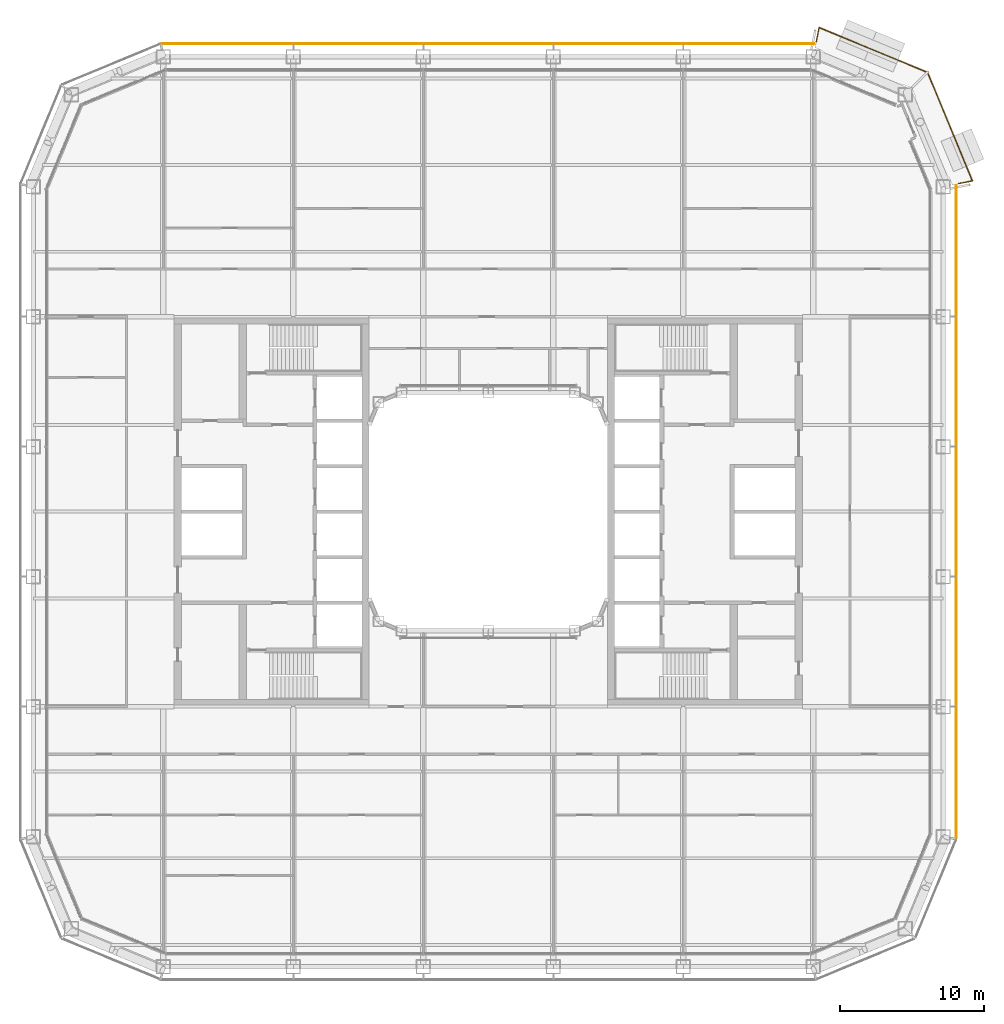
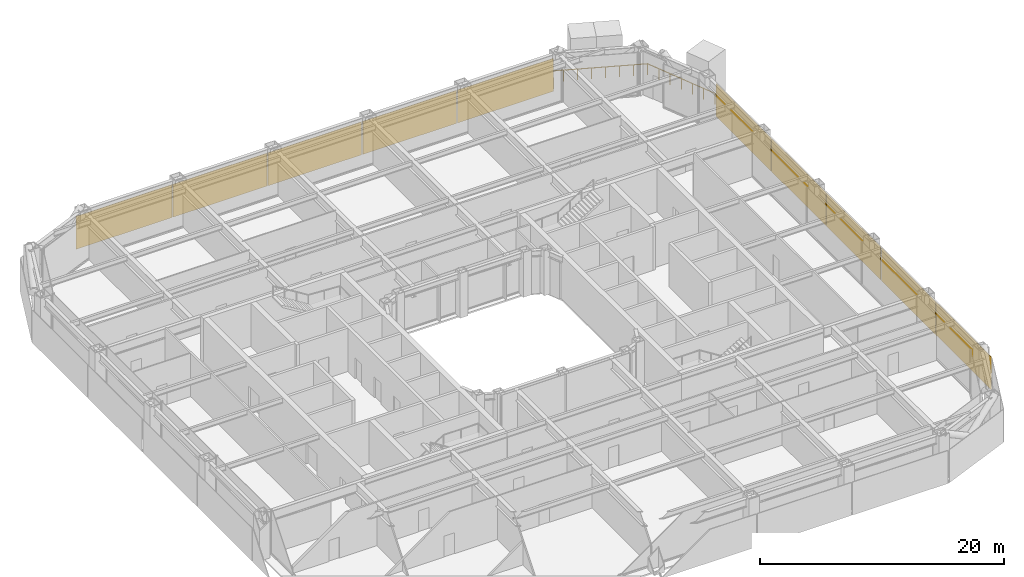
# One storey, part 29 of 30: 10 coverings, 1 railing.
"""IFC4 building model written with IfcOpenShell, lengths in metres."""

from ifc_helpers import new_model, si_unit, direction, frame, origin, origin_2d, place, context, subcontext, project, spatial, rectangle, circle, extrude, material, layer, layer_set, type_object, element, save


model = new_model("IFC4")

# Units and contexts
model_context = context("Model", 3, precision=1e-05, world=origin(), true_north=direction((0.0, 1.0)))
body_context = subcontext(model_context, "Body", "Model", "MODEL_VIEW")
ifc_project = project(units=[si_unit("LENGTHUNIT", "METRE"), si_unit("AREAUNIT", "SQUARE_METRE"), si_unit("VOLUMEUNIT", "CUBIC_METRE"), si_unit("PLANEANGLEUNIT", "RADIAN"), si_unit("MASSUNIT", "GRAM", prefix="KILO")], contexts=[model_context])

# Site, building, storey
site_placement = place(None, origin())
site = spatial("IfcSite", under=ifc_project, at=site_placement, CompositionType="ELEMENT")
building_placement = place(site_placement, origin())
building = spatial("IfcBuilding", under=site, at=building_placement, Name="Siwar Civic Tower", CompositionType="ELEMENT")
storey_placement = place(building_placement, frame((0.0, 0.0, 80.699951171875)))
storey = spatial("IfcBuildingStorey", under=building, at=storey_placement, Name="L17", CompositionType="ELEMENT", Elevation=80.699951171875)

# Railing
ifc_material_1 = material(Name="Stainless steel 316", Category="steel")
railing_type = type_object("IfcRailingType", Name="ENV-GUARD", PredefinedType="GUARDRAIL", material=ifc_material_1)
railing_placement = place(storey_placement, frame((32.547119140625, 22.708251953125, 0.0)))
element("IfcRailing", 1, at=railing_placement, inside=storey, type_object=railing_type, Name="Balcony guard NE", PredefinedType="GUARDRAIL", context=body_context, shape_type="SweptSolid", body=[
    extrude(circle(Radius=0.02392578125, at=origin_2d()), frame((0.0, 0.0, 1.076171875), z_axis=(0.980778661911, 0.195123592472, 0.0), x_axis=(-0.195123592472, 0.980778661911, 0.0)), (0.0, 0.0, 1.0), 0.993408203125),
    extrude(circle(Radius=0.02392578125, at=origin_2d()), frame((0.974365234375, 0.19384765625, 1.076171875), z_axis=(-0.382176720888, 0.924089256518, 0.0), x_axis=(-0.924089256518, -0.382176720888, 0.0)), (0.0, 0.0, 1.0), 8.129638671875),
    extrude(circle(Radius=0.02392578125, at=origin_2d()), frame((-2.132568359375, 7.706298828125, 1.076171875), z_axis=(-0.924089256518, 0.382176720888, 0.0), x_axis=(-0.382176720888, -0.924089256518, 0.0)), (0.0, 0.0, 1.0), 8.129638671875),
    extrude(circle(Radius=0.02392578125, at=origin_2d()), frame((-9.64501953125, 10.813232421875, 1.076171875), z_axis=(-0.195123592472, -0.980778661911, 0.0), x_axis=(0.980778661911, -0.195123592472, 0.0)), (0.0, 0.0, 1.0), 0.993408203125),
    extrude(circle(Radius=0.02099609375, at=origin_2d()), origin(), (0.0, 0.0, 1.0), 1.052001953125),
    extrude(circle(Radius=0.02099609375, at=origin_2d()), frame((0.974365234375, 0.19384765625, 0.0)), (0.0, 0.0, 1.0), 1.052001953125),
    extrude(circle(Radius=0.02099609375, at=origin_2d()), frame((0.530517578125, 1.26708984375, 0.0)), (0.0, 0.0, 1.0), 1.052001953125),
    extrude(circle(Radius=0.02099609375, at=origin_2d()), frame((0.086669921875, 2.34033203125, 0.0)), (0.0, 0.0, 1.0), 1.052001953125),
    extrude(circle(Radius=0.02099609375, at=origin_2d()), frame((-0.357177734375, 3.41357421875, 0.0)), (0.0, 0.0, 1.0), 1.052001953125),
    extrude(circle(Radius=0.02099609375, at=origin_2d()), frame((-0.801025390625, 4.486572265625, 0.0)), (0.0, 0.0, 1.0), 1.052001953125),
    extrude(circle(Radius=0.02099609375, at=origin_2d()), frame((-1.244873046875, 5.559814453125, 0.0)), (0.0, 0.0, 1.0), 1.052001953125),
    extrude(circle(Radius=0.02099609375, at=origin_2d()), frame((-1.688720703125, 6.633056640625, 0.0)), (0.0, 0.0, 1.0), 1.052001953125),
    extrude(circle(Radius=0.02099609375, at=origin_2d()), frame((-2.132568359375, 7.706298828125, 0.0)), (0.0, 0.0, 1.0), 1.052001953125),
    extrude(circle(Radius=0.02099609375, at=origin_2d()), frame((-3.205810546875, 8.150146484375, 0.0)), (0.0, 0.0, 1.0), 1.052001953125),
    extrude(circle(Radius=0.02099609375, at=origin_2d()), frame((-4.279052734375, 8.593994140625, 0.0)), (0.0, 0.0, 1.0), 1.052001953125),
    extrude(circle(Radius=0.02099609375, at=origin_2d()), frame((-5.352294921875, 9.037841796875, 0.0)), (0.0, 0.0, 1.0), 1.052001953125),
    extrude(circle(Radius=0.02099609375, at=origin_2d()), frame((-6.42529296875, 9.481689453125, 0.0)), (0.0, 0.0, 1.0), 1.052001953125),
    extrude(circle(Radius=0.02099609375, at=origin_2d()), frame((-7.49853515625, 9.925537109375, 0.0)), (0.0, 0.0, 1.0), 1.052001953125),
    extrude(circle(Radius=0.02099609375, at=origin_2d()), frame((-8.57177734375, 10.369384765625, 0.0)), (0.0, 0.0, 1.0), 1.052001953125),
    extrude(circle(Radius=0.02099609375, at=origin_2d()), frame((-9.64501953125, 10.813232421875, 0.0)), (0.0, 0.0, 1.0), 1.052001953125),
    extrude(circle(Radius=0.02099609375, at=origin_2d()), frame((-9.8388671875, 9.8388671875, 0.0)), (0.0, 0.0, 1.0), 1.052001953125),
])

# Coverings
ifc_material_2 = material(Name="Perforated aluminium cassette, pale metal", Category="aluminium")
ifc_layer = layer(ifc_material_2, 0.0400390625)
ifc_layer_set = layer_set([ifc_layer], Name="Perforated aluminium cassette, pale metal")
covering_type = type_object("IfcCoveringType", Name="ENV-OUTER SKIN OS-1", PredefinedType="CLADDING", material=ifc_layer_set)
covering_1_placement = place(storey_placement, frame((32.39990234375, -18.07958984375, -0.14990234375), z_axis=(0.0, 0.0, 1.0), x_axis=(0.0, 1.0, 0.0)))
element("IfcCovering", 2, at=covering_1_placement, inside=storey, type_object=covering_type, Name="OUTER SKIN OS-1 E 1", PredefinedType="CLADDING", context=body_context, shape_type="SweptSolid", body=[
    extrude(rectangle(XDim=9.05908203125, YDim=0.0400390625, at=origin_2d()), origin(), (0.0, 0.0, 1.0), 3.300048828125),
])
for number, where, z_axis, x_axis, name in (
    (3, (32.39990234375, -9.0, -0.14990234375), (0.0, 0.0, 1.0), (0.0, 1.0, 0.0), "OUTER SKIN OS-1 E 2"),
    (4, (32.39990234375, 0.0, -0.14990234375), (0.0, 0.0, 1.0), (0.0, 1.0, 0.0), "OUTER SKIN OS-1 E 3"),
    (5, (32.39990234375, 9.0, -0.14990234375), (0.0, 0.0, 1.0), (0.0, 1.0, 0.0), "OUTER SKIN OS-1 E 4"),
):
    element("IfcCovering", number, at=place(storey_placement, frame(where, z_axis=z_axis, x_axis=x_axis)), inside=storey, type_object=covering_type, Name=name, PredefinedType="CLADDING", context=body_context, shape_type="SweptSolid", body=[
        extrude(rectangle(XDim=8.89990234375, YDim=0.0400390625, at=origin_2d()), origin(), (0.0, 0.0, 1.0), 3.300048828125),
    ])
for number, where, z_axis, x_axis, name in (
    (6, (32.39990234375, 18.07958984375, -0.14990234375), (0.0, 0.0, 1.0), (0.0, 1.0, 0.0), "OUTER SKIN OS-1 E 5"),
    (7, (18.07958984375, 32.39990234375, -0.14990234375), (0.0, 0.0, 1.0), (-1.0, 0.0, 0.0), "OUTER SKIN OS-1 N 1"),
):
    element("IfcCovering", number, at=place(storey_placement, frame(where, z_axis=z_axis, x_axis=x_axis)), inside=storey, type_object=covering_type, Name=name, PredefinedType="CLADDING", context=body_context, shape_type="SweptSolid", body=[
        extrude(rectangle(XDim=9.05908203125, YDim=0.0400390625, at=origin_2d()), origin(), (0.0, 0.0, 1.0), 3.300048828125),
    ])
for number, where, z_axis, x_axis, name in (
    (8, (9.0, 32.39990234375, -0.14990234375), (0.0, 0.0, 1.0), (-1.0, 0.0, 0.0), "OUTER SKIN OS-1 N 2"),
    (9, (0.0, 32.39990234375, -0.14990234375), (0.0, 0.0, 1.0), (-1.0, 0.0, 0.0), "OUTER SKIN OS-1 N 3"),
    (10, (-9.0, 32.39990234375, -0.14990234375), (0.0, 0.0, 1.0), (-1.0, 0.0, 0.0), "OUTER SKIN OS-1 N 4"),
):
    element("IfcCovering", number, at=place(storey_placement, frame(where, z_axis=z_axis, x_axis=x_axis)), inside=storey, type_object=covering_type, Name=name, PredefinedType="CLADDING", context=body_context, shape_type="SweptSolid", body=[
        extrude(rectangle(XDim=8.89990234375, YDim=0.0400390625, at=origin_2d()), origin(), (0.0, 0.0, 1.0), 3.300048828125),
    ])
covering_2_placement = place(storey_placement, frame((-18.07958984375, 32.39990234375, -0.14990234375), z_axis=(0.0, 0.0, 1.0), x_axis=(-1.0, 0.0, 0.0)))
element("IfcCovering", 11, at=covering_2_placement, inside=storey, type_object=covering_type, Name="OUTER SKIN OS-1 N 5", PredefinedType="CLADDING", context=body_context, shape_type="SweptSolid", body=[
    extrude(rectangle(XDim=9.05908203125, YDim=0.0400390625, at=origin_2d()), origin(), (0.0, 0.0, 1.0), 3.300048828125),
])

save(model, "model.ifc")
